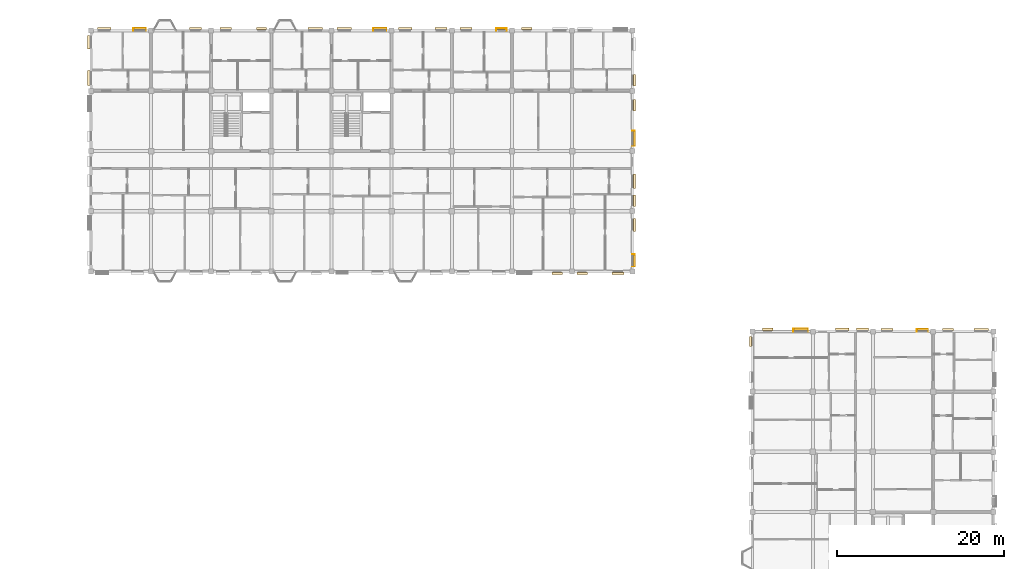
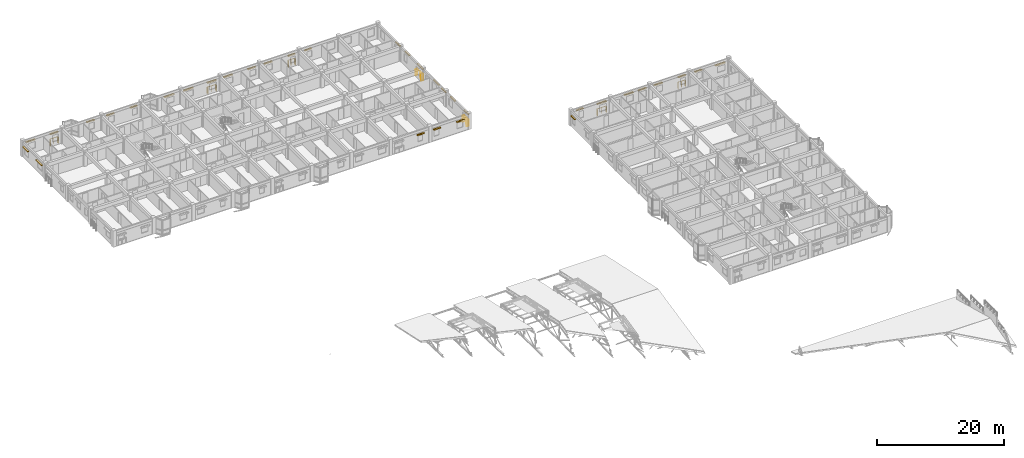
# One storey, part 123 of 124: 34 coverings, 7 railings.
"""IFC4 building model written with IfcOpenShell, lengths in metres."""

from ifc_helpers import new_model, si_unit, direction, frame, origin, origin_2d, place, context, subcontext, project, spatial, rectangle, circle, extrude, material, layer, layer_set, type_object, element, save


model = new_model("IFC4")

# Units and contexts
model_context = context("Model", 3, precision=1e-05, world=origin(), true_north=direction((0.0, 1.0)))
body_context = subcontext(model_context, "Body", "Model", "MODEL_VIEW")
ifc_project = project(units=[si_unit("LENGTHUNIT", "METRE"), si_unit("AREAUNIT", "SQUARE_METRE"), si_unit("VOLUMEUNIT", "CUBIC_METRE"), si_unit("PLANEANGLEUNIT", "RADIAN"), si_unit("MASSUNIT", "GRAM", prefix="KILO"), si_unit("THERMODYNAMICTEMPERATUREUNIT", "KELVIN"), si_unit("POWERUNIT", "WATT")], contexts=[model_context])

# Site, building, storey
site_placement = place(None, origin())
site = spatial("IfcSite", under=ifc_project, at=site_placement, CompositionType="ELEMENT")
building_placement = place(site_placement, origin())
building = spatial("IfcBuilding", under=site, at=building_placement, Name="Tavuni Mirador Residences", CompositionType="ELEMENT")
storey_placement = place(building_placement, frame((0.0, 0.0, 7.64990234375)))
storey = spatial("IfcBuildingStorey", under=building, at=storey_placement, Name="L02", CompositionType="ELEMENT", Elevation=7.64990234375)

# Coverings
ifc_material_1 = material(Name="Natural coral limestone", Category="masonry")
ifc_layer = layer(ifc_material_1, 0.054931640625, Name="Natural coral limestone", Category="masonry")
ifc_layer_set = layer_set([ifc_layer], Name="Natural coral limestone")
covering_type = type_object("IfcCoveringType", Name="CVT-CLAD-CORAL", PredefinedType="CLADDING", material=ifc_layer_set)
for number, where, z_axis, x_axis, name in (
    (1, (66.60009765625, 143.7255859375, 2.1650390625), (0.0, 0.0, 1.0), (1.0, 0.0, 0.0), "HOOD-0570"),
    (2, (69.60009765625, 143.73291015625, 2.1650390625), (0.0, 0.0, 1.0), (1.0, 0.0, 0.0), "HOOD-0571"),
):
    element("IfcCovering", number, at=place(storey_placement, frame(where, z_axis=z_axis, x_axis=x_axis)), inside=storey, type_object=covering_type, Name=name, PredefinedType="CLADDING", context=body_context, shape_type="SweptSolid", body=[
        extrude(rectangle(XDim=1.239990234375, YDim=0.25, at=origin_2d()), origin(), (0.0, 0.0, 1.0), 0.14990234375),
    ])
for number, where, z_axis, x_axis, name in (
    (3, (73.8798828125, 143.73291015625, 2.1650390625), (0.0, 0.0, 1.0), (1.0, 0.0, 0.0), "HOOD-0572"),
    (4, (75.87451171875, 145.280029296875, 2.1650390625), (0.0, 0.0, 1.0), (0.0, 1.0, 0.0), "HOOD-0573"),
):
    element("IfcCovering", number, at=place(storey_placement, frame(where, z_axis=z_axis, x_axis=x_axis)), inside=storey, type_object=covering_type, Name=name, PredefinedType="CLADDING", context=body_context, shape_type="SweptSolid", body=[
        extrude(rectangle(XDim=1.39990234375, YDim=0.25, at=origin_2d()), origin(), (0.0, 0.0, 1.0), 0.14990234375),
    ])
covering_1_placement = place(storey_placement, frame((75.87451171875, 149.56005859375, 2.1650390625), z_axis=(0.0, 0.0, 1.0), x_axis=(0.0, 1.0, 0.0)))
element("IfcCovering", 5, at=covering_1_placement, inside=storey, type_object=covering_type, Name="HOOD-0574", PredefinedType="CLADDING", context=body_context, shape_type="SweptSolid", body=[
    extrude(rectangle(XDim=1.56005859375, YDim=0.25, at=origin_2d()), origin(), (0.0, 0.0, 1.0), 0.14990234375),
])
covering_2_placement = place(storey_placement, frame((75.866943359375, 152.43994140625, 2.065185546875), z_axis=(0.0, 0.0, 1.0), x_axis=(0.0, 1.0, 0.0)))
element("IfcCovering", 6, at=covering_2_placement, inside=storey, type_object=covering_type, Name="HOOD-0575", PredefinedType="CLADDING", context=body_context, shape_type="SweptSolid", body=[
    extrude(rectangle(XDim=1.3798828125, YDim=0.25, at=origin_2d()), origin(), (0.0, 0.0, 1.0), 0.14990234375),
])
covering_3_placement = place(storey_placement, frame((75.866943359375, 154.77001953125, 2.1650390625), z_axis=(0.0, 0.0, 1.0), x_axis=(0.0, 1.0, 0.0)))
element("IfcCovering", 7, at=covering_3_placement, inside=storey, type_object=covering_type, Name="HOOD-0576", PredefinedType="CLADDING", context=body_context, shape_type="SweptSolid", body=[
    extrude(rectangle(XDim=1.719970703125, YDim=0.25, at=origin_2d()), origin(), (0.0, 0.0, 1.0), 0.14990234375),
])
covering_4_placement = place(storey_placement, frame((75.859619140625, 159.8798828125, 2.1650390625), z_axis=(0.0, 0.0, 1.0), x_axis=(0.0, 1.0, 0.0)))
element("IfcCovering", 8, at=covering_4_placement, inside=storey, type_object=covering_type, Name="HOOD-0577", PredefinedType="CLADDING", context=body_context, shape_type="SweptSolid", body=[
    extrude(rectangle(XDim=1.800048828125, YDim=0.25, at=origin_2d()), origin(), (0.0, 0.0, 1.0), 0.14990234375),
])
for number, where, z_axis, x_axis, name in (
    (9, (75.859619140625, 163.875, 2.2451171875), (0.0, 0.0, 1.0), (0.0, 1.0, 0.0), "HOOD-0578"),
    (10, (75.849609375, 166.875, 2.2451171875), (0.0, 0.0, 1.0), (0.0, 1.0, 0.0), "HOOD-0579"),
):
    element("IfcCovering", number, at=place(storey_placement, frame(where, z_axis=z_axis, x_axis=x_axis)), inside=storey, type_object=covering_type, Name=name, PredefinedType="CLADDING", context=body_context, shape_type="SweptSolid", body=[
        extrude(rectangle(XDim=1.389892578125, YDim=0.25, at=origin_2d()), origin(), (0.0, 0.0, 1.0), 0.14990234375),
    ])
for number, where, z_axis, x_axis, name in (
    (11, (62.989990234375, 173.074462890625, 1.955078125), (0.0, 0.0, 1.0), (-1.0, 0.0, 0.0), "HOOD-0584"),
    (12, (59.989990234375, 173.07958984375, 1.955078125), (0.0, 0.0, 1.0), (-1.0, 0.0, 0.0), "HOOD-0585"),
):
    element("IfcCovering", number, at=place(storey_placement, frame(where, z_axis=z_axis, x_axis=x_axis)), inside=storey, type_object=covering_type, Name=name, PredefinedType="CLADDING", context=body_context, shape_type="SweptSolid", body=[
        extrude(rectangle(XDim=1.260009765625, YDim=0.25, at=origin_2d()), origin(), (0.0, 0.0, 1.0), 0.14990234375),
    ])
for number, where, z_axis, x_axis, name in (
    (13, (55.7099609375, 173.07958984375, 1.955078125), (0.0, 0.0, 1.0), (-1.0, 0.0, 0.0), "HOOD-0586"),
    (14, (52.7099609375, 173.0869140625, 1.955078125), (0.0, 0.0, 1.0), (-1.0, 0.0, 0.0), "HOOD-0587"),
):
    element("IfcCovering", number, at=place(storey_placement, frame(where, z_axis=z_axis, x_axis=x_axis)), inside=storey, type_object=covering_type, Name=name, PredefinedType="CLADDING", context=body_context, shape_type="SweptSolid", body=[
        extrude(rectangle(XDim=1.419921875, YDim=0.25, at=origin_2d()), origin(), (0.0, 0.0, 1.0), 0.14990234375),
    ])
for number, where, z_axis, x_axis, name in (
    (15, (48.429931640625, 173.0869140625, 1.955078125), (0.0, 0.0, 1.0), (-1.0, 0.0, 0.0), "HOOD-0588"),
    (16, (45.429931640625, 173.04443359375, 1.955078125), (0.0, 0.0, 1.0), (-1.0, 0.0, 0.0), "HOOD-0589"),
):
    element("IfcCovering", number, at=place(storey_placement, frame(where, z_axis=z_axis, x_axis=x_axis)), inside=storey, type_object=covering_type, Name=name, PredefinedType="CLADDING", context=body_context, shape_type="SweptSolid", body=[
        extrude(rectangle(XDim=1.580078125, YDim=0.25, at=origin_2d()), origin(), (0.0, 0.0, 1.0), 0.14990234375),
    ])
covering_5_placement = place(storey_placement, frame((41.14990234375, 173.04443359375, 1.955078125), z_axis=(0.0, 0.0, 1.0), x_axis=(-1.0, 0.0, 0.0)))
element("IfcCovering", 17, at=covering_5_placement, inside=storey, type_object=covering_type, Name="HOOD-0590", PredefinedType="CLADDING", context=body_context, shape_type="SweptSolid", body=[
    extrude(rectangle(XDim=1.739990234375, YDim=0.25, at=origin_2d()), origin(), (0.0, 0.0, 1.0), 0.14990234375),
])
covering_6_placement = place(storey_placement, frame((37.655029296875, 173.054443359375, 1.9501953125), z_axis=(0.0, 0.0, 1.0), x_axis=(-1.0, 0.0, 0.0)))
element("IfcCovering", 18, at=covering_6_placement, inside=storey, type_object=covering_type, Name="HOOD-0591", PredefinedType="CLADDING", context=body_context, shape_type="SweptSolid", body=[
    extrude(rectangle(XDim=1.760009765625, YDim=0.260009765625, at=origin_2d()), origin(), (0.0, 0.0, 1.0), 0.159912109375),
])
covering_7_placement = place(storey_placement, frame((31.2099609375, 173.0595703125, 2.065185546875), z_axis=(0.0, 0.0, 1.0), x_axis=(-1.0, 0.0, 0.0)))
element("IfcCovering", 19, at=covering_7_placement, inside=storey, type_object=covering_type, Name="HOOD-0592", PredefinedType="CLADDING", context=body_context, shape_type="SweptSolid", body=[
    extrude(rectangle(XDim=1.219970703125, YDim=0.25, at=origin_2d()), origin(), (0.0, 0.0, 1.0), 0.14990234375),
])
covering_8_placement = place(storey_placement, frame((26.929931640625, 173.0595703125, 2.065185546875), z_axis=(0.0, 0.0, 1.0), x_axis=(-1.0, 0.0, 0.0)))
element("IfcCovering", 20, at=covering_8_placement, inside=storey, type_object=covering_type, Name="HOOD-0593", PredefinedType="CLADDING", context=body_context, shape_type="SweptSolid", body=[
    extrude(rectangle(XDim=1.3798828125, YDim=0.25, at=origin_2d()), origin(), (0.0, 0.0, 1.0), 0.14990234375),
])
covering_9_placement = place(storey_placement, frame((23.324951171875, 173.072021484375, 2.06005859375), z_axis=(0.0, 0.0, 1.0), x_axis=(-1.0, 0.0, 0.0)))
element("IfcCovering", 21, at=covering_9_placement, inside=storey, type_object=covering_type, Name="HOOD-0594", PredefinedType="CLADDING", context=body_context, shape_type="SweptSolid", body=[
    extrude(rectangle(XDim=1.39990234375, YDim=0.260009765625, at=origin_2d()), origin(), (0.0, 0.0, 1.0), 0.159912109375),
])
covering_10_placement = place(storey_placement, frame((16.68994140625, 173.074462890625, 2.065185546875), z_axis=(0.0, 0.0, 1.0), x_axis=(-1.0, 0.0, 0.0)))
element("IfcCovering", 22, at=covering_10_placement, inside=storey, type_object=covering_type, Name="HOOD-0595", PredefinedType="CLADDING", context=body_context, shape_type="SweptSolid", body=[
    extrude(rectangle(XDim=1.4599609375, YDim=0.25, at=origin_2d()), origin(), (0.0, 0.0, 1.0), 0.14990234375),
])
for number, where, z_axis, x_axis, name in (
    (23, (12.409912109375, 173.074462890625, 2.065185546875), (0.0, 0.0, 1.0), (-1.0, 0.0, 0.0), "HOOD-0596"),
    (24, (10.550537109375, 171.409912109375, 2.065185546875), (0.0, 0.0, 1.0), (0.0, -1.0, 0.0), "HOOD-0597"),
):
    element("IfcCovering", number, at=place(storey_placement, frame(where, z_axis=z_axis, x_axis=x_axis)), inside=storey, type_object=covering_type, Name=name, PredefinedType="CLADDING", context=body_context, shape_type="SweptSolid", body=[
        extrude(rectangle(XDim=1.6201171875, YDim=0.25, at=origin_2d()), origin(), (0.0, 0.0, 1.0), 0.14990234375),
    ])
covering_11_placement = place(storey_placement, frame((10.550537109375, 167.1298828125, 2.065185546875), z_axis=(0.0, 0.0, 1.0), x_axis=(0.0, -1.0, 0.0)))
element("IfcCovering", 25, at=covering_11_placement, inside=storey, type_object=covering_type, Name="HOOD-0598", PredefinedType="CLADDING", context=body_context, shape_type="SweptSolid", body=[
    extrude(rectangle(XDim=1.780029296875, YDim=0.25, at=origin_2d()), origin(), (0.0, 0.0, 1.0), 0.14990234375),
])
covering_12_placement = place(storey_placement, frame((117.35009765625, 137.049560546875, 1.955078125), z_axis=(0.0, 0.0, 1.0), x_axis=(-1.0, 0.0, 0.0)))
element("IfcCovering", 26, at=covering_12_placement, inside=storey, type_object=covering_type, Name="HOOD-0926", PredefinedType="CLADDING", context=body_context, shape_type="SweptSolid", body=[
    extrude(rectangle(XDim=1.739990234375, YDim=0.25, at=origin_2d()), origin(), (0.0, 0.0, 1.0), 0.14990234375),
])
for number, where, z_axis, x_axis, name in (
    (27, (113.3701171875, 137.049560546875, 2.065185546875), (0.0, 0.0, 1.0), (-1.0, 0.0, 0.0), "HOOD-0927"),
    (28, (110.3701171875, 137.0595703125, 2.065185546875), (0.0, 0.0, 1.0), (-1.0, 0.0, 0.0), "HOOD-0928"),
):
    element("IfcCovering", number, at=place(storey_placement, frame(where, z_axis=z_axis, x_axis=x_axis)), inside=storey, type_object=covering_type, Name=name, PredefinedType="CLADDING", context=body_context, shape_type="SweptSolid", body=[
        extrude(rectangle(XDim=1.300048828125, YDim=0.25, at=origin_2d()), origin(), (0.0, 0.0, 1.0), 0.14990234375),
    ])
for number, where, z_axis, x_axis, name in (
    (29, (106.090087890625, 137.0595703125, 2.065185546875), (0.0, 0.0, 1.0), (-1.0, 0.0, 0.0), "HOOD-0929"),
    (30, (103.1298828125, 137.06689453125, 2.065185546875), (0.0, 0.0, 1.0), (-1.0, 0.0, 0.0), "HOOD-0930"),
):
    element("IfcCovering", number, at=place(storey_placement, frame(where, z_axis=z_axis, x_axis=x_axis)), inside=storey, type_object=covering_type, Name=name, PredefinedType="CLADDING", context=body_context, shape_type="SweptSolid", body=[
        extrude(rectangle(XDim=1.4599609375, YDim=0.25, at=origin_2d()), origin(), (0.0, 0.0, 1.0), 0.14990234375),
    ])
covering_13_placement = place(storey_placement, frame((100.7099609375, 137.06689453125, 2.065185546875), z_axis=(0.0, 0.0, 1.0), x_axis=(-1.0, 0.0, 0.0)))
element("IfcCovering", 31, at=covering_13_placement, inside=storey, type_object=covering_type, Name="HOOD-0931", PredefinedType="CLADDING", context=body_context, shape_type="SweptSolid", body=[
    extrude(rectangle(XDim=1.6201171875, YDim=0.25, at=origin_2d()), origin(), (0.0, 0.0, 1.0), 0.14990234375),
])
covering_14_placement = place(storey_placement, frame((95.77001953125, 137.074462890625, 2.065185546875), z_axis=(0.0, 0.0, 1.0), x_axis=(-1.0, 0.0, 0.0)))
element("IfcCovering", 32, at=covering_14_placement, inside=storey, type_object=covering_type, Name="HOOD-0932", PredefinedType="CLADDING", context=body_context, shape_type="SweptSolid", body=[
    extrude(rectangle(XDim=1.699951171875, YDim=0.25, at=origin_2d()), origin(), (0.0, 0.0, 1.0), 0.14990234375),
])
for number, where, z_axis, x_axis, name in (
    (33, (91.800048828125, 137.074462890625, 2.1650390625), (0.0, 0.0, 1.0), (-1.0, 0.0, 0.0), "HOOD-0933"),
    (34, (89.720458984375, 135.60009765625, 2.1650390625), (0.0, 0.0, 1.0), (0.0, -1.0, 0.0), "HOOD-0934"),
):
    element("IfcCovering", number, at=place(storey_placement, frame(where, z_axis=z_axis, x_axis=x_axis)), inside=storey, type_object=covering_type, Name=name, PredefinedType="CLADDING", context=body_context, shape_type="SweptSolid", body=[
        extrude(rectangle(XDim=1.239990234375, YDim=0.25, at=origin_2d()), origin(), (0.0, 0.0, 1.0), 0.14990234375),
    ])

# Railings
ifc_material_2 = material(Name="Structural steel S355", Category="steel")
railing_type = type_object("IfcRailingType", Name="RT-BL1150", PredefinedType="BALUSTRADE", material=ifc_material_2)
railing_1_placement = place(storey_placement, frame((75.60009765625, 144.64990234375, 0.0400390625)))
element("IfcRailing", 35, at=railing_1_placement, inside=storey, type_object=railing_type, Name="BALC-BLK-C-L02-E00", PredefinedType="BALUSTRADE", context=body_context, shape_type="SweptSolid", body=[
    extrude(circle(Radius=0.02392578125, at=origin_2d()), frame((0.0, 0.0, 1.1259765625), z_axis=(1.0, 0.0, 0.0), x_axis=(0.0, 1.0, 0.0)), (0.0, 0.0, 1.0), 0.29248046875),
    extrude(circle(Radius=0.02392578125, at=origin_2d()), frame((0.29248046875, 0.0, 1.1259765625), z_axis=(0.0, 1.0, 0.0), x_axis=(-1.0, 0.0, 0.0)), (0.0, 0.0, 1.0), 1.380126953125),
    extrude(circle(Radius=0.02392578125, at=origin_2d()), frame((0.29248046875, 1.380126953125, 1.1259765625), z_axis=(-1.0, 0.0, 0.0), x_axis=(0.0, -1.0, 0.0)), (0.0, 0.0, 1.0), 0.29248046875),
    extrude(circle(Radius=0.02099609375, at=origin_2d()), origin(), (0.0, 0.0, 1.0), 1.101806640625),
    extrude(circle(Radius=0.02099609375, at=origin_2d()), frame((0.29248046875, 0.0, 0.0)), (0.0, 0.0, 1.0), 1.101806640625),
    extrude(circle(Radius=0.02099609375, at=origin_2d()), frame((0.29248046875, 0.68994140625, 0.0)), (0.0, 0.0, 1.0), 1.101806640625),
    extrude(circle(Radius=0.02099609375, at=origin_2d()), frame((0.29248046875, 1.380126953125, 0.0)), (0.0, 0.0, 1.0), 1.101806640625),
    extrude(circle(Radius=0.02099609375, at=origin_2d()), frame((0.0, 1.380126953125, 0.0)), (0.0, 0.0, 1.0), 1.101806640625),
])
railing_2_placement = place(storey_placement, frame((75.60009765625, 159.050048828125, 0.0400390625)))
element("IfcRailing", 36, at=railing_2_placement, inside=storey, type_object=railing_type, Name="BALC-BLK-C-L02-E02", PredefinedType="BALUSTRADE", context=body_context, shape_type="SweptSolid", body=[
    extrude(circle(Radius=0.02392578125, at=origin_2d()), frame((0.0, 0.0, 1.1259765625), z_axis=(1.0, 0.0, 0.0), x_axis=(0.0, 1.0, 0.0)), (0.0, 0.0, 1.0), 0.27734375),
    extrude(circle(Radius=0.02392578125, at=origin_2d()), frame((0.27734375, 0.0, 1.1259765625), z_axis=(0.0, 1.0, 0.0), x_axis=(-1.0, 0.0, 0.0)), (0.0, 0.0, 1.0), 1.780029296875),
    extrude(circle(Radius=0.02392578125, at=origin_2d()), frame((0.27734375, 1.780029296875, 1.1259765625), z_axis=(-1.0, 0.0, 0.0), x_axis=(0.0, -1.0, 0.0)), (0.0, 0.0, 1.0), 0.27734375),
    extrude(circle(Radius=0.02099609375, at=origin_2d()), origin(), (0.0, 0.0, 1.0), 1.101806640625),
    extrude(circle(Radius=0.02099609375, at=origin_2d()), frame((0.27734375, 0.0, 0.0)), (0.0, 0.0, 1.0), 1.101806640625),
    extrude(circle(Radius=0.02099609375, at=origin_2d()), frame((0.27734375, 0.89013671875, 0.0)), (0.0, 0.0, 1.0), 1.101806640625),
    extrude(circle(Radius=0.02099609375, at=origin_2d()), frame((0.27734375, 1.780029296875, 0.0)), (0.0, 0.0, 1.0), 1.101806640625),
    extrude(circle(Radius=0.02099609375, at=origin_2d()), frame((0.0, 1.780029296875, 0.0)), (0.0, 0.0, 1.0), 1.101806640625),
])
railing_3_placement = place(storey_placement, frame((60.550048828125, 172.800048828125, 0.0400390625)))
element("IfcRailing", 37, at=railing_3_placement, inside=storey, type_object=railing_type, Name="BALC-BLK-C-L02-N06", PredefinedType="BALUSTRADE", context=body_context, shape_type="SweptSolid", body=[
    extrude(circle(Radius=0.02392578125, at=origin_2d()), frame((0.0, 0.0, 1.1259765625), z_axis=(0.0, 1.0, 0.0), x_axis=(-1.0, 0.0, 0.0)), (0.0, 0.0, 1.0), 0.29736328125),
    extrude(circle(Radius=0.02392578125, at=origin_2d()), frame((0.0, 0.29736328125, 1.1259765625), z_axis=(-1.0, 0.0, 0.0), x_axis=(0.0, -1.0, 0.0)), (0.0, 0.0, 1.0), 1.239990234375),
    extrude(circle(Radius=0.02392578125, at=origin_2d()), frame((-1.239990234375, 0.29736328125, 1.1259765625), z_axis=(0.0, -1.0, 0.0), x_axis=(1.0, 0.0, 0.0)), (0.0, 0.0, 1.0), 0.29736328125),
    extrude(circle(Radius=0.02099609375, at=origin_2d()), origin(), (0.0, 0.0, 1.0), 1.101806640625),
    extrude(circle(Radius=0.02099609375, at=origin_2d()), frame((0.0, 0.29736328125, 0.0)), (0.0, 0.0, 1.0), 1.101806640625),
    extrude(circle(Radius=0.02099609375, at=origin_2d()), frame((-0.6201171875, 0.29736328125, 0.0)), (0.0, 0.0, 1.0), 1.101806640625),
    extrude(circle(Radius=0.02099609375, at=origin_2d()), frame((-1.239990234375, 0.29736328125, 0.0)), (0.0, 0.0, 1.0), 1.101806640625),
    extrude(circle(Radius=0.02099609375, at=origin_2d()), frame((-1.239990234375, 0.0, 0.0)), (0.0, 0.0, 1.0), 1.101806640625),
])
railing_4_placement = place(storey_placement, frame((46.14990234375, 172.800048828125, 0.0400390625)))
element("IfcRailing", 38, at=railing_4_placement, inside=storey, type_object=railing_type, Name="BALC-BLK-C-L02-N04", PredefinedType="BALUSTRADE", context=body_context, shape_type="SweptSolid", body=[
    extrude(circle(Radius=0.02392578125, at=origin_2d()), frame((0.0, 0.0, 1.1259765625), z_axis=(0.0, 1.0, 0.0), x_axis=(-1.0, 0.0, 0.0)), (0.0, 0.0, 1.0), 0.262451171875),
    extrude(circle(Radius=0.02392578125, at=origin_2d()), frame((0.0, 0.262451171875, 1.1259765625), z_axis=(-1.0, 0.0, 0.0), x_axis=(0.0, -1.0, 0.0)), (0.0, 0.0, 1.0), 1.559814453125),
    extrude(circle(Radius=0.02392578125, at=origin_2d()), frame((-1.559814453125, 0.262451171875, 1.1259765625), z_axis=(0.0, -1.0, 0.0), x_axis=(1.0, 0.0, 0.0)), (0.0, 0.0, 1.0), 0.262451171875),
    extrude(circle(Radius=0.02099609375, at=origin_2d()), origin(), (0.0, 0.0, 1.0), 1.101806640625),
    extrude(circle(Radius=0.02099609375, at=origin_2d()), frame((0.0, 0.262451171875, 0.0)), (0.0, 0.0, 1.0), 1.101806640625),
    extrude(circle(Radius=0.02099609375, at=origin_2d()), frame((-0.77978515625, 0.262451171875, 0.0)), (0.0, 0.0, 1.0), 1.101806640625),
    extrude(circle(Radius=0.02099609375, at=origin_2d()), frame((-1.559814453125, 0.262451171875, 0.0)), (0.0, 0.0, 1.0), 1.101806640625),
    extrude(circle(Radius=0.02099609375, at=origin_2d()), frame((-1.559814453125, 0.0, 0.0)), (0.0, 0.0, 1.0), 1.101806640625),
])
railing_5_placement = place(storey_placement, frame((17.35009765625, 172.800048828125, 0.0400390625)))
element("IfcRailing", 39, at=railing_5_placement, inside=storey, type_object=railing_type, Name="BALC-BLK-C-L02-N00", PredefinedType="BALUSTRADE", context=body_context, shape_type="SweptSolid", body=[
    extrude(circle(Radius=0.02392578125, at=origin_2d()), frame((0.0, 0.0, 1.1259765625), z_axis=(0.0, 1.0, 0.0), x_axis=(-1.0, 0.0, 0.0)), (0.0, 0.0, 1.0), 0.29248046875),
    extrude(circle(Radius=0.02392578125, at=origin_2d()), frame((0.0, 0.29248046875, 1.1259765625), z_axis=(-1.0, 0.0, 0.0), x_axis=(0.0, -1.0, 0.0)), (0.0, 0.0, 1.0), 1.440185546875),
    extrude(circle(Radius=0.02392578125, at=origin_2d()), frame((-1.440185546875, 0.29248046875, 1.1259765625), z_axis=(0.0, -1.0, 0.0), x_axis=(1.0, 0.0, 0.0)), (0.0, 0.0, 1.0), 0.29248046875),
    extrude(circle(Radius=0.02099609375, at=origin_2d()), origin(), (0.0, 0.0, 1.0), 1.101806640625),
    extrude(circle(Radius=0.02099609375, at=origin_2d()), frame((0.0, 0.29248046875, 0.0)), (0.0, 0.0, 1.0), 1.101806640625),
    extrude(circle(Radius=0.02099609375, at=origin_2d()), frame((-0.72021484375, 0.29248046875, 0.0)), (0.0, 0.0, 1.0), 1.101806640625),
    extrude(circle(Radius=0.02099609375, at=origin_2d()), frame((-1.440185546875, 0.29248046875, 0.0)), (0.0, 0.0, 1.0), 1.101806640625),
    extrude(circle(Radius=0.02099609375, at=origin_2d()), frame((-1.440185546875, 0.0, 0.0)), (0.0, 0.0, 1.0), 1.101806640625),
])
railing_6_placement = place(storey_placement, frame((110.949951171875, 136.800048828125, 0.0400390625)))
element("IfcRailing", 40, at=railing_6_placement, inside=storey, type_object=railing_type, Name="BALC-BLK-D-L02-N02", PredefinedType="BALUSTRADE", context=body_context, shape_type="SweptSolid", body=[
    extrude(circle(Radius=0.02392578125, at=origin_2d()), frame((0.0, 0.0, 1.1259765625), z_axis=(0.0, 1.0, 0.0), x_axis=(-1.0, 0.0, 0.0)), (0.0, 0.0, 1.0), 0.27734375),
    extrude(circle(Radius=0.02392578125, at=origin_2d()), frame((0.0, 0.27734375, 1.1259765625), z_axis=(-1.0, 0.0, 0.0), x_axis=(0.0, -1.0, 0.0)), (0.0, 0.0, 1.0), 1.280029296875),
    extrude(circle(Radius=0.02392578125, at=origin_2d()), frame((-1.280029296875, 0.27734375, 1.1259765625), z_axis=(0.0, -1.0, 0.0), x_axis=(1.0, 0.0, 0.0)), (0.0, 0.0, 1.0), 0.27734375),
    extrude(circle(Radius=0.02099609375, at=origin_2d()), origin(), (0.0, 0.0, 1.0), 1.101806640625),
    extrude(circle(Radius=0.02099609375, at=origin_2d()), frame((0.0, 0.27734375, 0.0)), (0.0, 0.0, 1.0), 1.101806640625),
    extrude(circle(Radius=0.02099609375, at=origin_2d()), frame((-0.64013671875, 0.27734375, 0.0)), (0.0, 0.0, 1.0), 1.101806640625),
    extrude(circle(Radius=0.02099609375, at=origin_2d()), frame((-1.280029296875, 0.27734375, 0.0)), (0.0, 0.0, 1.0), 1.101806640625),
    extrude(circle(Radius=0.02099609375, at=origin_2d()), frame((-1.280029296875, 0.0, 0.0)), (0.0, 0.0, 1.0), 1.101806640625),
])
railing_7_placement = place(storey_placement, frame((96.550048828125, 136.800048828125, 0.0400390625)))
element("IfcRailing", 41, at=railing_7_placement, inside=storey, type_object=railing_type, Name="BALC-BLK-D-L02-N00", PredefinedType="BALUSTRADE", context=body_context, shape_type="SweptSolid", body=[
    extrude(circle(Radius=0.02392578125, at=origin_2d()), frame((0.0, 0.0, 1.1259765625), z_axis=(0.0, 1.0, 0.0), x_axis=(-1.0, 0.0, 0.0)), (0.0, 0.0, 1.0), 0.29248046875),
    extrude(circle(Radius=0.02392578125, at=origin_2d()), frame((0.0, 0.29248046875, 1.1259765625), z_axis=(-1.0, 0.0, 0.0), x_axis=(0.0, -1.0, 0.0)), (0.0, 0.0, 1.0), 1.679931640625),
    extrude(circle(Radius=0.02392578125, at=origin_2d()), frame((-1.679931640625, 0.29248046875, 1.1259765625), z_axis=(0.0, -1.0, 0.0), x_axis=(1.0, 0.0, 0.0)), (0.0, 0.0, 1.0), 0.29248046875),
    extrude(circle(Radius=0.02099609375, at=origin_2d()), origin(), (0.0, 0.0, 1.0), 1.101806640625),
    extrude(circle(Radius=0.02099609375, at=origin_2d()), frame((0.0, 0.29248046875, 0.0)), (0.0, 0.0, 1.0), 1.101806640625),
    extrude(circle(Radius=0.02099609375, at=origin_2d()), frame((-0.83984375, 0.29248046875, 0.0)), (0.0, 0.0, 1.0), 1.101806640625),
    extrude(circle(Radius=0.02099609375, at=origin_2d()), frame((-1.679931640625, 0.29248046875, 0.0)), (0.0, 0.0, 1.0), 1.101806640625),
    extrude(circle(Radius=0.02099609375, at=origin_2d()), frame((-1.679931640625, 0.0, 0.0)), (0.0, 0.0, 1.0), 1.101806640625),
])

save(model, "model.ifc")
